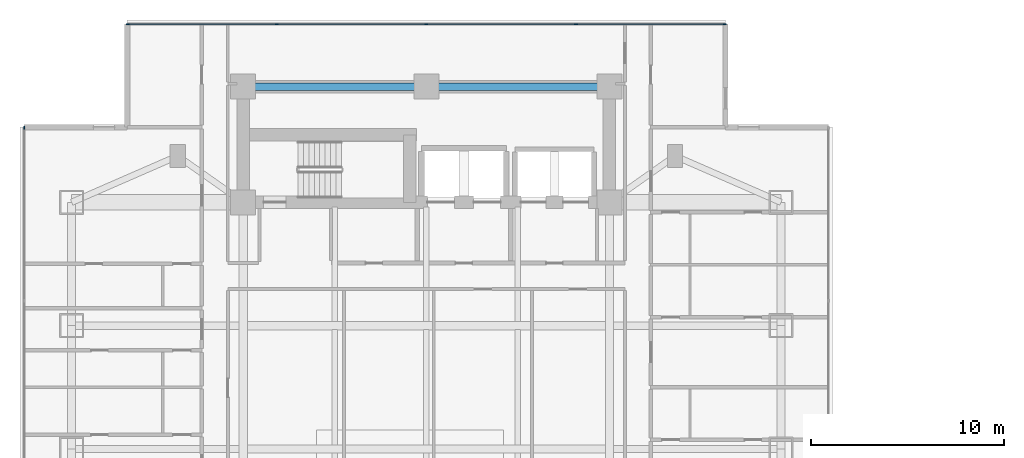
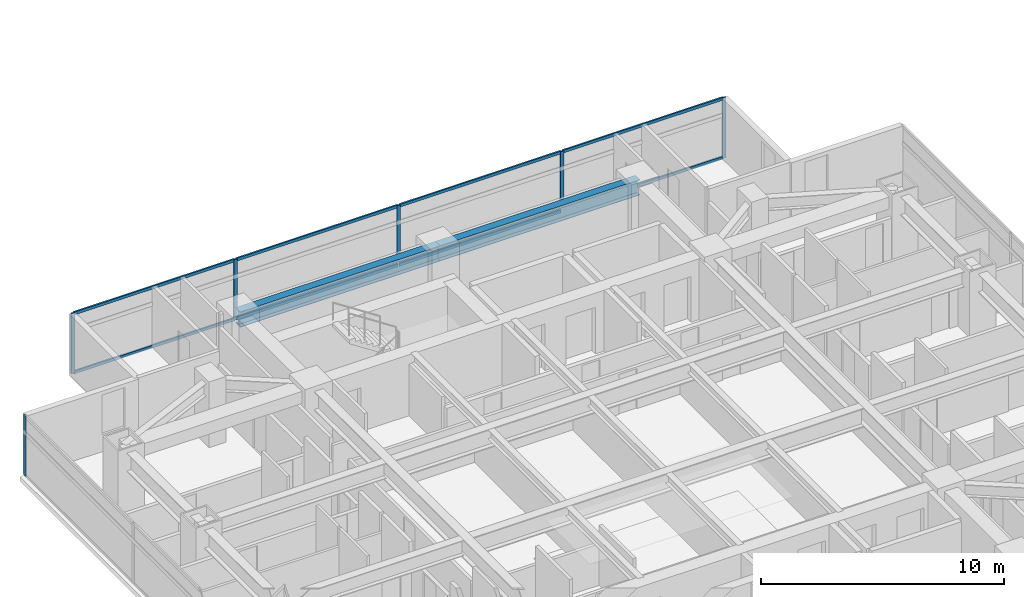
# One storey, part 7 of 27: 14 members, 2 beams, 2 elements without a shape of their own.
"""IFC4 building model written with IfcOpenShell, lengths in metres."""

from ifc_helpers import new_model, si_unit, direction, frame, origin, origin_2d, place, context, subcontext, project, spatial, rectangle, i_section, extrude, material, material_profile, profile_set, type_object, element, aggregate, save


model = new_model("IFC4")

# Units and contexts
model_context = context("Model", 3, precision=1e-05, world=origin(), true_north=direction((0.0, 1.0)))
body_context = subcontext(model_context, "Body", "Model", "MODEL_VIEW")
ifc_project = project(units=[si_unit("LENGTHUNIT", "METRE"), si_unit("AREAUNIT", "SQUARE_METRE"), si_unit("VOLUMEUNIT", "CUBIC_METRE"), si_unit("PLANEANGLEUNIT", "RADIAN"), si_unit("MASSUNIT", "GRAM", prefix="KILO")], contexts=[model_context])

# Site, building, storey
site_placement = place(None, origin())
site = spatial("IfcSite", under=ifc_project, at=site_placement, CompositionType="ELEMENT")
building_placement = place(site_placement, origin())
building = spatial("IfcBuilding", under=site, at=building_placement, Name="Mirazonda Arch Towers", CompositionType="ELEMENT")
storey_placement = place(building_placement, frame((0.0, 0.0, 55.39990234375)))
storey = spatial("IfcBuildingStorey", under=building, at=storey_placement, Name="L15", CompositionType="ELEMENT", Elevation=55.39990234375)

# Beams
ifc_material_1 = material(Name="Steel ASTM A992 Grade 50", Category="steel")
ifc_material_profile_1 = material_profile(ifc_material_1, i_section(OverallWidth=0.381103515625, OverallDepth=0.77294921875, WebThickness=0.0166015625, FlangeThickness=0.027099609375, at=origin_2d()), Name="W30X173")
ifc_profile_set_1 = profile_set([ifc_material_profile_1], Name="Steel ASTM A992 Grade 50")
beam_type = type_object("IfcBeamType", Name="BM-INT-W30X173", PredefinedType="USERDEFINED", material=ifc_profile_set_1)
for number, where, z_axis, x_axis, name in (
    (1, (11.0, 43.60009765625, 2.673583984375), (1.0, 0.0, 0.0), (0.0, 1.0, 0.0), "L15 Floor Beam BM-T1-L15-CN1"),
    (2, (20.5, 43.60009765625, 2.673583984375), (1.0, 0.0, 0.0), (0.0, 1.0, 0.0), "L15 Floor Beam BM-T1-L15-CN2"),
):
    element("IfcBeam", number, at=place(storey_placement, frame(where, z_axis=z_axis, x_axis=x_axis)), inside=storey, type_object=beam_type, Name=name, ObjectType="GIRDER", PredefinedType="USERDEFINED", context=body_context, shape_type="SweptSolid", body=[
        extrude(i_section(OverallWidth=0.381103515625, OverallDepth=0.77294921875, WebThickness=0.0166015625, FlangeThickness=0.027099609375, at=origin_2d()), origin(), (0.0, 0.0, 1.0), 9.5),
    ])

# Curtain wall, members
ifc_material_2 = material(Name="Anodised Aluminium and Low-E Glass", Category="aluminium")
curtain_wall_type = type_object("IfcCurtainWallType", Name="CW-HTL-UNIT", PredefinedType="NOTDEFINED", material=ifc_material_2)
curtain_wall_1_placement = place(storey_placement, origin())
curtain_wall_1 = element("IfcCurtainWall", 3, at=curtain_wall_1_placement, inside=storey, type_object=curtain_wall_type, Name="L15 T1 N Facade CW-L15-T1-N", PredefinedType="NOTDEFINED")
ifc_material_3 = material(Name="Anodised Aluminium Alloy", Category="aluminium")
ifc_material_profile_2 = material_profile(ifc_material_3, rectangle(XDim=0.074951171875, YDim=0.1650390625, at=origin_2d()), Name="ALU-MULL-75x165")
ifc_profile_set_2 = profile_set([ifc_material_profile_2], Name="Anodised Aluminium Alloy")
member_type_1 = type_object("IfcMemberType", Name="MULL-CW-HTL-UNIT", PredefinedType="MULLION", material=ifc_profile_set_2)
member_1_placement = place(storey_placement, frame((5.017578125, 46.837890625, 0.0), z_axis=(0.0, 0.0, 1.0), x_axis=(0.0, 1.0, 0.0)))
member_1 = element("IfcMember", 4, at=member_1_placement, type_object=member_type_1, Name="CW-112 mullion 1", PredefinedType="MULLION", context=body_context, shape_type="SweptSolid", body=[
    extrude(rectangle(XDim=0.074951171875, YDim=0.1650390625, at=origin_2d()), origin(), (0.0, 0.0, 1.0), 3.0400390625),
])
member_2_placement = place(storey_placement, frame((12.739990234375, 46.837890625, 0.0), z_axis=(0.0, 0.0, 1.0), x_axis=(0.0, 1.0, 0.0)))
member_2 = element("IfcMember", 5, at=member_2_placement, type_object=member_type_1, Name="CW-112 mullion 2", PredefinedType="MULLION", context=body_context, shape_type="SweptSolid", body=[
    extrude(rectangle(XDim=0.074951171875, YDim=0.1650390625, at=origin_2d()), origin(), (0.0, 0.0, 1.0), 3.0400390625),
])
member_3_placement = place(storey_placement, frame((20.5, 46.837890625, 0.0), z_axis=(0.0, 0.0, 1.0), x_axis=(0.0, 1.0, 0.0)))
member_3 = element("IfcMember", 6, at=member_3_placement, type_object=member_type_1, Name="CW-112 mullion 3", PredefinedType="MULLION", context=body_context, shape_type="SweptSolid", body=[
    extrude(rectangle(XDim=0.074951171875, YDim=0.1650390625, at=origin_2d()), origin(), (0.0, 0.0, 1.0), 3.0400390625),
])
member_4_placement = place(storey_placement, frame((28.260009765625, 46.837890625, 0.0), z_axis=(0.0, 0.0, 1.0), x_axis=(0.0, 1.0, 0.0)))
member_4 = element("IfcMember", 7, at=member_4_placement, type_object=member_type_1, Name="CW-112 mullion 4", PredefinedType="MULLION", context=body_context, shape_type="SweptSolid", body=[
    extrude(rectangle(XDim=0.074951171875, YDim=0.1650390625, at=origin_2d()), origin(), (0.0, 0.0, 1.0), 3.0400390625),
])
member_5_placement = place(storey_placement, frame((35.982421875, 46.837890625, 0.0), z_axis=(0.0, 0.0, 1.0), x_axis=(0.0, 1.0, 0.0)))
member_5 = element("IfcMember", 8, at=member_5_placement, type_object=member_type_1, Name="CW-112 mullion 5", PredefinedType="MULLION", context=body_context, shape_type="SweptSolid", body=[
    extrude(rectangle(XDim=0.074951171875, YDim=0.1650390625, at=origin_2d()), origin(), (0.0, 0.0, 1.0), 3.0400390625),
])

# Curtain wall, member
curtain_wall_2_placement = place(storey_placement, origin())
curtain_wall_2 = element("IfcCurtainWall", 9, at=curtain_wall_2_placement, inside=storey, type_object=curtain_wall_type, Name="L15 T1 W Facade CW-L15-T1-W", PredefinedType="NOTDEFINED")
member_6_placement = place(storey_placement, frame((-0.360107421875, 41.46044921875, 0.0), z_axis=(0.0, 0.0, 1.0), x_axis=(1.0, 0.0, 0.0)))
member_6 = element("IfcMember", 10, at=member_6_placement, type_object=member_type_1, Name="CW-112 mullion 1", PredefinedType="MULLION", context=body_context, shape_type="SweptSolid", body=[
    extrude(rectangle(XDim=0.074951171875, YDim=0.1650390625, at=origin_2d()), origin(), (0.0, 0.0, 1.0), 3.0400390625),
])
aggregate(curtain_wall_2, [member_6])

# Member
ifc_material_profile_3 = material_profile(ifc_material_3, rectangle(XDim=0.074951171875, YDim=0.14501953125, at=origin_2d()), Name="ALU-TRAN-75x145")
ifc_profile_set_3 = profile_set([ifc_material_profile_3], Name="Anodised Aluminium Alloy")
member_type_2 = type_object("IfcMemberType", Name="TRAN-CW-HTL-UNIT", PredefinedType="USERDEFINED", material=ifc_profile_set_3)
member_7_placement = place(storey_placement, frame((5.054931640625, 46.837890625, 0.03759765625), z_axis=(1.0, 0.0, 0.0), x_axis=(0.0, 1.0, 0.0)))
member_7 = element("IfcMember", 11, at=member_7_placement, type_object=member_type_2, Name="CW-112 transom 1.1", ObjectType="TRANSOM", PredefinedType="USERDEFINED", context=body_context, shape_type="SweptSolid", body=[
    extrude(rectangle(XDim=0.074951171875, YDim=0.14501953125, at=origin_2d()), origin(), (0.0, 0.0, 1.0), 7.6474609375),
])

member_8_placement = place(storey_placement, frame((5.054931640625, 46.837890625, 3.002685546875), z_axis=(1.0, 0.0, 0.0), x_axis=(0.0, 1.0, 0.0)))
member_8 = element("IfcMember", 12, at=member_8_placement, type_object=member_type_2, Name="CW-112 transom 1.2", ObjectType="TRANSOM", PredefinedType="USERDEFINED", context=body_context, shape_type="SweptSolid", body=[
    extrude(rectangle(XDim=0.074951171875, YDim=0.14501953125, at=origin_2d()), origin(), (0.0, 0.0, 1.0), 7.6474609375),
])

member_9_placement = place(storey_placement, frame((12.777587890625, 46.837890625, 0.03759765625), z_axis=(1.0, 0.0, 0.0), x_axis=(0.0, 1.0, 0.0)))
member_9 = element("IfcMember", 13, at=member_9_placement, type_object=member_type_2, Name="CW-112 transom 2.1", ObjectType="TRANSOM", PredefinedType="USERDEFINED", context=body_context, shape_type="SweptSolid", body=[
    extrude(rectangle(XDim=0.074951171875, YDim=0.14501953125, at=origin_2d()), origin(), (0.0, 0.0, 1.0), 7.684814453125),
])

member_10_placement = place(storey_placement, frame((12.777587890625, 46.837890625, 3.002685546875), z_axis=(1.0, 0.0, 0.0), x_axis=(0.0, 1.0, 0.0)))
member_10 = element("IfcMember", 14, at=member_10_placement, type_object=member_type_2, Name="CW-112 transom 2.2", ObjectType="TRANSOM", PredefinedType="USERDEFINED", context=body_context, shape_type="SweptSolid", body=[
    extrude(rectangle(XDim=0.074951171875, YDim=0.14501953125, at=origin_2d()), origin(), (0.0, 0.0, 1.0), 7.684814453125),
])

member_11_placement = place(storey_placement, frame((20.53759765625, 46.837890625, 0.03759765625), z_axis=(1.0, 0.0, 0.0), x_axis=(0.0, 1.0, 0.0)))
member_11 = element("IfcMember", 15, at=member_11_placement, type_object=member_type_2, Name="CW-112 transom 3.1", ObjectType="TRANSOM", PredefinedType="USERDEFINED", context=body_context, shape_type="SweptSolid", body=[
    extrude(rectangle(XDim=0.074951171875, YDim=0.14501953125, at=origin_2d()), origin(), (0.0, 0.0, 1.0), 7.684814453125),
])

member_12_placement = place(storey_placement, frame((20.53759765625, 46.837890625, 3.002685546875), z_axis=(1.0, 0.0, 0.0), x_axis=(0.0, 1.0, 0.0)))
member_12 = element("IfcMember", 16, at=member_12_placement, type_object=member_type_2, Name="CW-112 transom 3.2", ObjectType="TRANSOM", PredefinedType="USERDEFINED", context=body_context, shape_type="SweptSolid", body=[
    extrude(rectangle(XDim=0.074951171875, YDim=0.14501953125, at=origin_2d()), origin(), (0.0, 0.0, 1.0), 7.684814453125),
])

member_13_placement = place(storey_placement, frame((28.297607421875, 46.837890625, 0.03759765625), z_axis=(1.0, 0.0, 0.0), x_axis=(0.0, 1.0, 0.0)))
member_13 = element("IfcMember", 17, at=member_13_placement, type_object=member_type_2, Name="CW-112 transom 4.1", ObjectType="TRANSOM", PredefinedType="USERDEFINED", context=body_context, shape_type="SweptSolid", body=[
    extrude(rectangle(XDim=0.074951171875, YDim=0.14501953125, at=origin_2d()), origin(), (0.0, 0.0, 1.0), 7.6474609375),
])

member_14_placement = place(storey_placement, frame((28.297607421875, 46.837890625, 3.002685546875), z_axis=(1.0, 0.0, 0.0), x_axis=(0.0, 1.0, 0.0)))
member_14 = element("IfcMember", 18, at=member_14_placement, type_object=member_type_2, Name="CW-112 transom 4.2", ObjectType="TRANSOM", PredefinedType="USERDEFINED", context=body_context, shape_type="SweptSolid", body=[
    extrude(rectangle(XDim=0.074951171875, YDim=0.14501953125, at=origin_2d()), origin(), (0.0, 0.0, 1.0), 7.6474609375),
])

aggregate(curtain_wall_1, [member_1, member_2, member_3, member_4, member_5, member_7, member_8, member_9, member_10, member_11, member_12, member_13, member_14])

save(model, "model.ifc")
